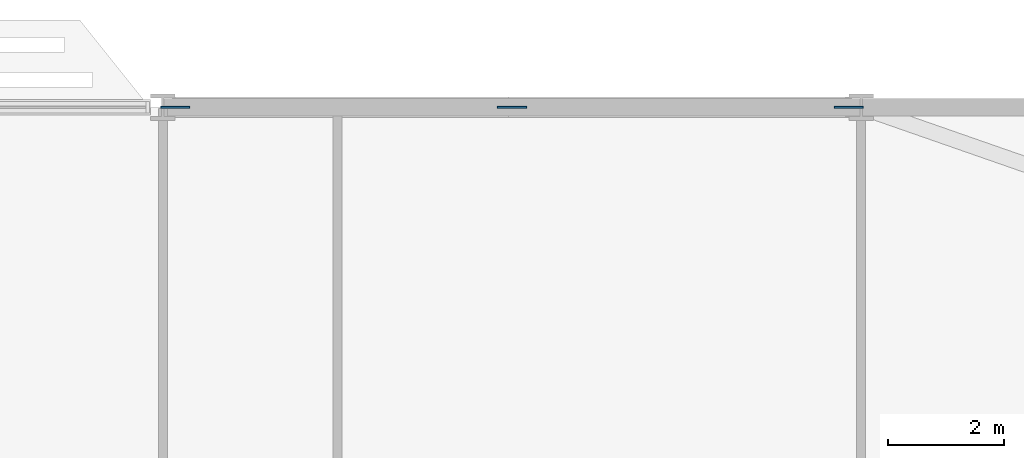
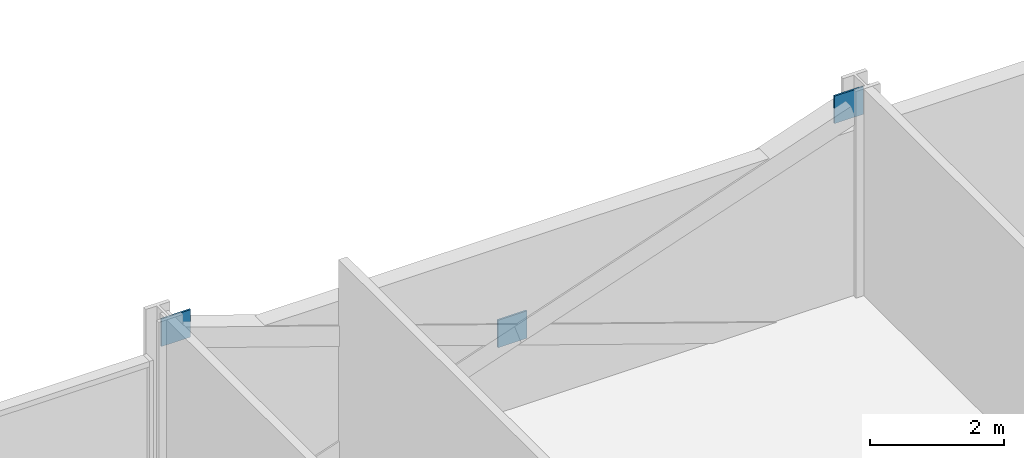
# One storey, part 22 of 29: 3 discrete accessories.
"""IFC4 building model written with IfcOpenShell, lengths in metres."""

from ifc_helpers import new_model, si_unit, direction, frame, origin, origin_2d, place, context, subcontext, project, spatial, rectangle, extrude, material, layer, layer_set, type_object, element, save


model = new_model("IFC4")

# Units and contexts
model_context = context("Model", 3, precision=1e-05, world=origin(), true_north=direction((0.0, 1.0)))
body_context = subcontext(model_context, "Body", "Model", "MODEL_VIEW")
ifc_project = project(units=[si_unit("LENGTHUNIT", "METRE"), si_unit("AREAUNIT", "SQUARE_METRE"), si_unit("VOLUMEUNIT", "CUBIC_METRE"), si_unit("PLANEANGLEUNIT", "RADIAN"), si_unit("MASSUNIT", "GRAM", prefix="KILO")], contexts=[model_context])

# Site, building, storey
site_placement = place(None, origin())
site = spatial("IfcSite", under=ifc_project, at=site_placement, CompositionType="ELEMENT")
building_placement = place(site_placement, origin())
building = spatial("IfcBuilding", under=site, at=building_placement, Name="Mahtab Terrace Research Tower", CompositionType="ELEMENT")
storey_placement = place(building_placement, frame((0.0, 0.0, 88.89990234375)))
storey = spatial("IfcBuildingStorey", under=building, at=storey_placement, Name="L20", CompositionType="ELEMENT", Elevation=88.89990234375)

# Discrete accessories
ifc_material = material(Name="Steel ASTM A992 Gr 50", Category="steel")
ifc_layer = layer(ifc_material, 0.030029296875)
ifc_layer_set = layer_set([ifc_layer], Name="Gusset plate 500x500x30")
discrete_accessory_type = type_object("IfcDiscreteAccessoryType", Name="Gusset plate 500x500x30", PredefinedType="USERDEFINED", material=ifc_layer_set)
for number, where, z_axis, x_axis, name in (
    (1, (30.209716796875, 29.0, 3.131591796875), (0.0, 0.0, 1.0), (1.0, 0.0, 0.0), "Gusset plate"),
    (2, (36.0, 29.0, 1.081787109375), (0.0, 0.0, 1.0), (1.0, 0.0, 0.0), "Gusset plate"),
    (3, (41.790283203125, 29.0, 3.131591796875), (0.0, 0.0, 1.0), (1.0, 0.0, 0.0), "Gusset plate"),
):
    element("IfcDiscreteAccessory", number, at=place(storey_placement, frame(where, z_axis=z_axis, x_axis=x_axis)), inside=storey, type_object=discrete_accessory_type, Name=name, ObjectType="GUSSET PLATE", PredefinedType="USERDEFINED", context=body_context, shape_type="SweptSolid", body=[
        extrude(rectangle(XDim=0.5, YDim=0.030029296875, at=origin_2d()), origin(), (0.0, 0.0, 1.0), 0.5),
    ])

save(model, "model.ifc")
